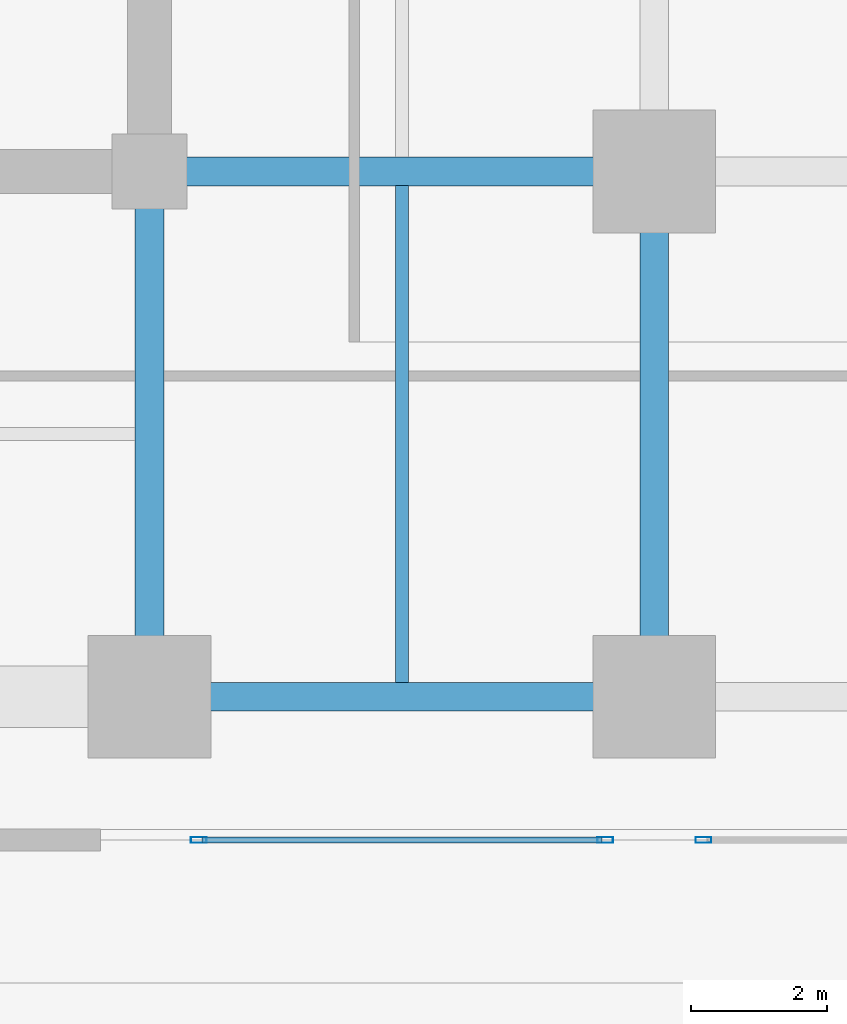
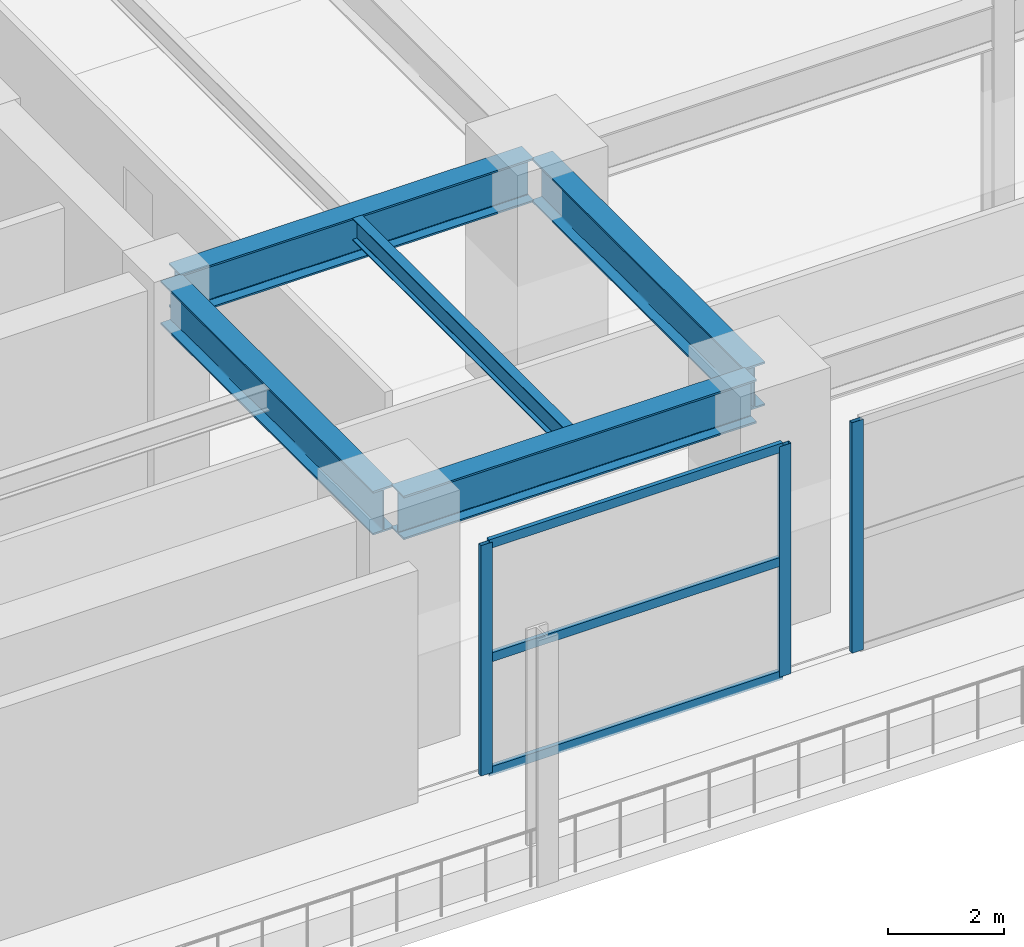
# One storey, part 9 of 35: 6 members, 5 beams, 2 elements without a shape of their own.
"""IFC4 building model written with IfcOpenShell, lengths in metres."""

import ifcopenshell
import ifcopenshell.guid

model = None  # the IFC model being written
_history = None  # IfcOwnerHistory: only IFC2X3 demands one
_inside = {}  # id of a spatial element -> (the spatial element, [elements in it])
_under = {}  # id of a project, library or spatial element -> (it, [spatial elements below it])
_declared = {}  # id of a project -> (the project, [libraries it declares])
_typed = {}  # id of a type object -> (the type object, [elements of that type])
_made_of = {}  # id of a material, layer set ... -> (it, [elements and type objects made of it])


def new_model(schema):
    """Start an empty IFC model of exactly this schema.

    Asked for "IFC4X3", IfcOpenShell would pick the latest addendum, in which some entities
    have other attributes; the version numbers below select the first issue.
    IFC2X3 requires an IfcOwnerHistory on every rooted entity: one is made here for all.
    """
    global model, _history
    if schema == "IFC4X3":
        model = ifcopenshell.file(schema_version=(4, 3, 0, 0))
    else:
        model = ifcopenshell.file(schema=schema)
    _inside.clear()
    _under.clear()
    _declared.clear()
    _typed.clear()
    _made_of.clear()
    _history = None
    if model.schema == "IFC2X3":
        org = make("IfcOrganization", Name="unknown")
        user = make(
            "IfcPersonAndOrganization",
            ThePerson=make("IfcPerson", FamilyName="unknown"),
            TheOrganization=org,
        )
        app = make(
            "IfcApplication",
            ApplicationDeveloper=org,
            Version="unknown",
            ApplicationFullName="unknown",
            ApplicationIdentifier="unknown",
        )
        _history = make(
            "IfcOwnerHistory",
            OwningUser=user,
            OwningApplication=app,
            ChangeAction="ADDED",
            CreationDate=0,
        )
    return model


def make(cls, **values):
    """One entity of the class cls with the attributes given. An attribute that is None is left unset."""
    return model.create_entity(
        cls, **{name: value for name, value in values.items() if value is not None}
    )


def rooted(cls, **values):
    """An entity with a GlobalId (a new one), such as an element, a storey or a relation."""
    return make(cls, GlobalId=ifcopenshell.guid.new(), OwnerHistory=_history, **values)


def si_unit(unit_type, name, prefix=None):
    """IfcSIUnit, for example si_unit("LENGTHUNIT", "METRE", prefix="MILLI")."""
    return make("IfcSIUnit", UnitType=unit_type, Prefix=prefix, Name=name)


def assignment(units):
    """IfcUnitAssignment: the units of a project."""
    return None if units is None else make("IfcUnitAssignment", Units=units)


def point(xyz):
    """IfcCartesianPoint."""
    return None if xyz is None else make("IfcCartesianPoint", Coordinates=xyz)


def direction(xyz):
    """IfcDirection."""
    return None if xyz is None else make("IfcDirection", DirectionRatios=xyz)


def frame(location, z_axis=None, x_axis=None):
    """IfcAxis2Placement3D, a coordinate frame: its origin and axes. An axis left out is left unset."""
    return make(
        "IfcAxis2Placement3D",
        Location=point(location),
        Axis=direction(z_axis),
        RefDirection=direction(x_axis),
    )


def frame_2d(location, x_axis=None):
    """IfcAxis2Placement2D, a coordinate frame in the plane: its origin and x axis."""
    return make(
        "IfcAxis2Placement2D", Location=point(location), RefDirection=direction(x_axis)
    )


def origin():
    """The frame at (0, 0, 0) with its axes left unset."""
    return frame((0.0, 0.0, 0.0))


def origin_2d():
    """The frame at (0, 0) in the plane with its x axis left unset."""
    return frame_2d((0.0, 0.0))


def place(relative_to, where):
    """IfcLocalPlacement: puts the frame where relative to a parent placement (None: the world)."""
    return make(
        "IfcLocalPlacement", PlacementRelTo=relative_to, RelativePlacement=where
    )


def context(
    kind, dimensions, precision=None, world=None, true_north=None, identifier=None
):
    """IfcGeometricRepresentationContext, for example the 3D "Model" context."""
    return make(
        "IfcGeometricRepresentationContext",
        ContextIdentifier=identifier,
        ContextType=kind,
        CoordinateSpaceDimension=dimensions,
        Precision=precision,
        WorldCoordinateSystem=world,
        TrueNorth=true_north,
    )


def subcontext(parent, identifier, kind, view, scale=None):
    """IfcGeometricRepresentationSubContext, for example "Body" below "Model"."""
    return make(
        "IfcGeometricRepresentationSubContext",
        ContextIdentifier=identifier,
        ContextType=kind,
        ParentContext=parent,
        TargetScale=scale,
        TargetView=view,
    )


def project(units=None, contexts=None):
    """IfcProject with its units and contexts."""
    return rooted(
        "IfcProject",
        Name="project",
        RepresentationContexts=contexts,
        UnitsInContext=assignment(units),
    )


def spatial(cls, under=None, at=None, **own):
    """A site, building, storey or space (cls), placed at a placement, below another one or the project."""
    s = rooted(cls, ObjectPlacement=at, **own)
    if under is not None:
        _under.setdefault(under.id(), (under, []))[1].append(s)
    return s


def profile(cls, at=None, kind="AREA", **sizes):
    """A parametric profile (cls). Its sizes go by their IFC names, for example OverallWidth=200.0."""
    return make(cls, ProfileType=kind, Position=at, **sizes)


def hollow_rectangle(**sizes):
    """IfcRectangleHollowProfileDef."""
    return profile("IfcRectangleHollowProfileDef", **sizes)


def i_section(**sizes):
    """IfcIShapeProfileDef."""
    return profile("IfcIShapeProfileDef", **sizes)


def extrude(swept, where, along, depth):
    """IfcExtrudedAreaSolid: the profile swept, set in the frame where, extruded along a direction by depth."""
    return make(
        "IfcExtrudedAreaSolid",
        SweptArea=swept,
        Position=where,
        ExtrudedDirection=direction(along),
        Depth=depth,
    )


def shape(context_of_items, identifier, shape_type, items):
    """IfcShapeRepresentation: the items that make up one representation, for example the "Body"."""
    return make(
        "IfcShapeRepresentation",
        ContextOfItems=context_of_items,
        RepresentationIdentifier=identifier,
        RepresentationType=shape_type,
        Items=items,
    )


def material(Name=None, Category=None):
    """IfcMaterial."""
    return make("IfcMaterial", Name=Name, Category=Category)


def material_profile(
    of_material, cross_section, Name=None, Category=None, Priority=None
):
    """IfcMaterialProfile: a cross section and its material."""
    return make(
        "IfcMaterialProfile",
        Name=Name,
        Material=of_material,
        Profile=cross_section,
        Priority=Priority,
        Category=Category,
    )


def profile_set(profiles, Name=None, composite=None):
    """IfcMaterialProfileSet."""
    return make(
        "IfcMaterialProfileSet",
        Name=Name,
        MaterialProfiles=profiles,
        CompositeProfile=composite,
    )


def made_of(thing, what):
    """Note that an element or type object is made of a material, layer set ...; save() writes the relation."""
    if what is not None:
        _made_of.setdefault(what.id(), (what, []))[1].append(thing)
    return thing


def type_object(cls, material=None, **own):
    """A type object (cls), such as IfcWallType, which elements share."""
    return made_of(rooted(cls, **own), material)


def element(
    cls,
    number,
    at=None,
    inside=None,
    cuts=None,
    type_object=None,
    material=None,
    context=None,
    identifier="Body",
    shape_type=None,
    held_by="IfcProductDefinitionShape",
    body=None,
    shapes=None,
    **own,
):
    """One element of the class cls, such as IfcWall. Its Tag is "e" and its number.

    at: its placement. inside: the storey or other place that contains it. cuts: it is an
    opening in that element (IfcRelVoidsElement). A single representation is given by context,
    identifier, shape_type and body (its items); several are given by shapes. held_by: the class
    of the entity that holds the representations. save() writes the other relations.
    """
    e = rooted(cls, Tag="e%d" % number, ObjectPlacement=at, **own)
    if body is not None:
        shapes = [shape(context, identifier, shape_type, body)]
    if shapes is not None:
        e.Representation = make(held_by, Representations=shapes)
    if inside is not None:
        _inside.setdefault(inside.id(), (inside, []))[1].append(e)
    if cuts is not None:
        rooted(
            "IfcRelVoidsElement", RelatingBuildingElement=cuts, RelatedOpeningElement=e
        )
    if type_object is not None:
        _typed.setdefault(type_object.id(), (type_object, []))[1].append(e)
    return made_of(e, material)


def aggregate(whole, parts):
    """IfcRelAggregates: a whole, such as a stair, and the parts it consists of."""
    return rooted("IfcRelAggregates", RelatingObject=whole, RelatedObjects=parts)


def save(model, path):
    """Write the relations noted so far, then the file.

    IfcRelAggregates (storeys below a building ...), IfcRelContainedInSpatialStructure (elements
    in a storey), IfcRelDefinesByType, IfcRelAssociatesMaterial and IfcRelDeclares: one each for
    every whole, place, type object, material and project.
    """
    for whole, parts in _under.values():
        aggregate(whole, parts)
    for where, things in _inside.values():
        rooted(
            "IfcRelContainedInSpatialStructure",
            RelatedElements=things,
            RelatingStructure=where,
        )
    for kind, things in _typed.values():
        rooted("IfcRelDefinesByType", RelatedObjects=things, RelatingType=kind)
    for what, things in _made_of.values():
        rooted("IfcRelAssociatesMaterial", RelatedObjects=things, RelatingMaterial=what)
    for by, libraries in _declared.values():
        rooted("IfcRelDeclares", RelatingContext=by, RelatedDefinitions=libraries)
    model.write(path)


model = new_model("IFC4")

# Units and contexts
model_context = context("Model", 3, precision=1e-05, world=origin(), true_north=direction((0.0, 1.0)))
body_context = subcontext(model_context, "Body", "Model", "MODEL_VIEW")
ifc_project = project(units=[si_unit("LENGTHUNIT", "METRE"), si_unit("AREAUNIT", "SQUARE_METRE"), si_unit("VOLUMEUNIT", "CUBIC_METRE"), si_unit("PLANEANGLEUNIT", "RADIAN"), si_unit("MASSUNIT", "GRAM", prefix="KILO")], contexts=[model_context])

# Site, building, storey
site_placement = place(None, origin())
site = spatial("IfcSite", under=ifc_project, at=site_placement, CompositionType="ELEMENT")
building_placement = place(site_placement, origin())
building = spatial("IfcBuilding", under=site, at=building_placement, Name="Kovane Verandah Tower", CompositionType="ELEMENT")
storey_placement = place(building_placement, frame((0.0, 0.0, 16.39990234375)))
storey = spatial("IfcBuildingStorey", under=building, at=storey_placement, Name="L03", CompositionType="ELEMENT", Elevation=16.39990234375)

# Beams
ifc_material_1 = material(Name="Steel S460", Category="steel")
ifc_material_profile_1 = material_profile(ifc_material_1, i_section(OverallWidth=0.42041015625, OverallDepth=0.9208984375, WebThickness=0.021484375, FlangeThickness=0.03662109375, FilletRadius=0.024169921875, at=origin_2d()), Name="UB914x419x388")
ifc_profile_set_1 = profile_set([ifc_material_profile_1], Name="Steel S460")
beam_type_1 = type_object("IfcBeamType", Name="BM-UB914x388", PredefinedType="BEAM", material=ifc_profile_set_1)
beam_1_placement = place(storey_placement, frame((51.179931640625, 10.800048828125, 4.439697265625), z_axis=(1.0, 0.0, 0.0), x_axis=(0.0, 1.0, 0.0)))
element("IfcBeam", 1, at=beam_1_placement, inside=storey, type_object=beam_type_1, Name="L03 Primary Tower Girder G-RS3", PredefinedType="BEAM", context=body_context, shape_type="SweptSolid", body=[
    extrude(i_section(OverallWidth=0.42041015625, OverallDepth=0.9208984375, WebThickness=0.021484375, FlangeThickness=0.03662109375, FilletRadius=0.024169921875, at=origin_2d()), origin(), (0.0, 0.0, 1.0), 7.0400390625),
])
beam_2_placement = place(storey_placement, frame((58.39990234375, 10.97998046875, 4.439697265625), z_axis=(0.0, 1.0, 0.0), x_axis=(-1.0, 0.0, 0.0)))
element("IfcBeam", 2, at=beam_2_placement, inside=storey, type_object=beam_type_1, Name="L03 Primary Tower Girder G-RE1", PredefinedType="BEAM", context=body_context, shape_type="SweptSolid", body=[
    extrude(i_section(OverallWidth=0.42041015625, OverallDepth=0.9208984375, WebThickness=0.021484375, FlangeThickness=0.03662109375, FilletRadius=0.024169921875, at=origin_2d()), origin(), (0.0, 0.0, 1.0), 7.340087890625),
])
beam_3_placement = place(storey_placement, frame((51.179931640625, 18.5, 4.439697265625), z_axis=(1.0, 0.0, 0.0), x_axis=(0.0, 1.0, 0.0)))
element("IfcBeam", 3, at=beam_3_placement, inside=storey, type_object=beam_type_1, Name="L03 Primary Tower Girder G-E1", PredefinedType="BEAM", context=body_context, shape_type="SweptSolid", body=[
    extrude(i_section(OverallWidth=0.42041015625, OverallDepth=0.9208984375, WebThickness=0.021484375, FlangeThickness=0.03662109375, FilletRadius=0.024169921875, at=origin_2d()), origin(), (0.0, 0.0, 1.0), 7.0400390625),
])
beam_4_placement = place(storey_placement, frame((51.0, 18.320068359375, 4.439697265625), z_axis=(0.0, -1.0, 0.0), x_axis=(1.0, 0.0, 0.0)))
element("IfcBeam", 4, at=beam_4_placement, inside=storey, type_object=beam_type_1, Name="L03 Primary Tower Girder G-S2", PredefinedType="BEAM", context=body_context, shape_type="SweptSolid", body=[
    extrude(i_section(OverallWidth=0.42041015625, OverallDepth=0.9208984375, WebThickness=0.021484375, FlangeThickness=0.03662109375, FilletRadius=0.024169921875, at=origin_2d()), origin(), (0.0, 0.0, 1.0), 7.340087890625),
])

# Curtain wall, members
ifc_material_2 = material(Name="Champagne Anodised Aluminium Frame with Low-E Clear Laminated Glass", Category="aluminium")
curtain_wall_type = type_object("IfcCurtainWallType", Name="CW-SYS-01-POD", PredefinedType="NOTDEFINED", material=ifc_material_2)
curtain_wall_1_placement = place(storey_placement, origin())
curtain_wall_1 = element("IfcCurtainWall", 5, at=curtain_wall_1_placement, inside=storey, type_object=curtain_wall_type, Name="L03 South Podium Curtain Wall Bay 5.1", PredefinedType="NOTDEFINED")
ifc_material_3 = material(Name="Champagne Anodised Aluminium 6063-T6", Category="aluminium")
ifc_material_profile_2 = material_profile(ifc_material_3, hollow_rectangle(XDim=0.0849609375, YDim=0.22998046875, WallThickness=0.00390625, at=origin_2d()), Name="AL85x230x4")
ifc_profile_set_2 = profile_set([ifc_material_profile_2], Name="Champagne Anodised Aluminium 6063-T6")
member_type_1 = type_object("IfcMemberType", Name="CW-MUL-85x230", PredefinedType="MULLION", material=ifc_profile_set_2)
member_1_placement = place(storey_placement, frame((51.719970703125, 8.699951171875, 0.02001953125), z_axis=(0.0, 0.0, 1.0), x_axis=(0.0, -1.0, 0.0)))
member_1 = element("IfcMember", 6, at=member_1_placement, type_object=member_type_1, Name="L03 South Podium Curtain Wall Bay 5.1 Mullion 1", PredefinedType="MULLION", context=body_context, shape_type="SweptSolid", body=[
    extrude(hollow_rectangle(XDim=0.0849609375, YDim=0.22998046875, WallThickness=0.00390625, at=origin_2d()), origin(), (0.0, 0.0, 1.0), 4.860107421875),
])
member_2_placement = place(storey_placement, frame((57.679931640625, 8.699951171875, 0.02001953125), z_axis=(0.0, 0.0, 1.0), x_axis=(0.0, -1.0, 0.0)))
member_2 = element("IfcMember", 7, at=member_2_placement, type_object=member_type_1, Name="L03 South Podium Curtain Wall Bay 5.1 Mullion 2", PredefinedType="MULLION", context=body_context, shape_type="SweptSolid", body=[
    extrude(hollow_rectangle(XDim=0.0849609375, YDim=0.22998046875, WallThickness=0.00390625, at=origin_2d()), origin(), (0.0, 0.0, 1.0), 4.860107421875),
])

# Curtain wall, member
curtain_wall_2_placement = place(storey_placement, origin())
curtain_wall_2 = element("IfcCurtainWall", 8, at=curtain_wall_2_placement, inside=storey, type_object=curtain_wall_type, Name="L03 South Podium Curtain Wall Bay 6.1", PredefinedType="NOTDEFINED")
member_3_placement = place(storey_placement, frame((59.1201171875, 8.699951171875, 0.02001953125), z_axis=(0.0, 0.0, 1.0), x_axis=(0.0, -1.0, 0.0)))
member_3 = element("IfcMember", 9, at=member_3_placement, type_object=member_type_1, Name="L03 South Podium Curtain Wall Bay 6.1 Mullion 1", PredefinedType="MULLION", context=body_context, shape_type="SweptSolid", body=[
    extrude(hollow_rectangle(XDim=0.0849609375, YDim=0.22998046875, WallThickness=0.00390625, at=origin_2d()), origin(), (0.0, 0.0, 1.0), 4.860107421875),
])
aggregate(curtain_wall_2, [member_3])

# Member
ifc_material_profile_3 = material_profile(ifc_material_3, hollow_rectangle(XDim=0.0849609375, YDim=0.18994140625, WallThickness=0.00390625, at=origin_2d()), Name="AL85x190x4")
ifc_profile_set_3 = profile_set([ifc_material_profile_3], Name="Champagne Anodised Aluminium 6063-T6")
member_type_2 = type_object("IfcMemberType", Name="CW-TRN-85x190", PredefinedType="USERDEFINED", material=ifc_profile_set_3)
member_4_placement = place(storey_placement, frame((51.77001953125, 8.699951171875, 0.050048828125), z_axis=(1.0, 0.0, 0.0), x_axis=(0.0, 1.0, 0.0)))
member_4 = element("IfcMember", 10, at=member_4_placement, type_object=member_type_2, Name="L03 South Podium Curtain Wall Bay 5.1 Transom TB Bay 1", ObjectType="TRANSOM", PredefinedType="USERDEFINED", context=body_context, shape_type="SweptSolid", body=[
    extrude(hollow_rectangle(XDim=0.0849609375, YDim=0.18994140625, WallThickness=0.00390625, at=origin_2d()), origin(), (0.0, 0.0, 1.0), 5.85986328125),
])

member_5_placement = place(storey_placement, frame((51.77001953125, 8.699951171875, 2.4501953125), z_axis=(1.0, 0.0, 0.0), x_axis=(0.0, 1.0, 0.0)))
member_5 = element("IfcMember", 11, at=member_5_placement, type_object=member_type_2, Name="L03 South Podium Curtain Wall Bay 5.1 Transom TM Bay 1", ObjectType="TRANSOM", PredefinedType="USERDEFINED", context=body_context, shape_type="SweptSolid", body=[
    extrude(hollow_rectangle(XDim=0.0849609375, YDim=0.18994140625, WallThickness=0.00390625, at=origin_2d()), origin(), (0.0, 0.0, 1.0), 5.85986328125),
])

member_6_placement = place(storey_placement, frame((51.77001953125, 8.699951171875, 4.85009765625), z_axis=(1.0, 0.0, 0.0), x_axis=(0.0, 1.0, 0.0)))
member_6 = element("IfcMember", 12, at=member_6_placement, type_object=member_type_2, Name="L03 South Podium Curtain Wall Bay 5.1 Transom TT Bay 1", ObjectType="TRANSOM", PredefinedType="USERDEFINED", context=body_context, shape_type="SweptSolid", body=[
    extrude(hollow_rectangle(XDim=0.0849609375, YDim=0.18994140625, WallThickness=0.00390625, at=origin_2d()), origin(), (0.0, 0.0, 1.0), 5.85986328125),
])

aggregate(curtain_wall_1, [member_1, member_2, member_4, member_5, member_6])

# Beam
ifc_material_4 = material(Name="Steel S355", Category="steel")
ifc_material_profile_4 = material_profile(ifc_material_4, i_section(OverallWidth=0.19287109375, OverallDepth=0.46728515625, WebThickness=0.011474609375, FlangeThickness=0.01953125, FilletRadius=0.01025390625, at=origin_2d()), Name="UB457x191x98")
ifc_profile_set_4 = profile_set([ifc_material_profile_4], Name="Steel S355")
beam_type_2 = type_object("IfcBeamType", Name="JST-UB457x98", PredefinedType="JOIST", material=ifc_profile_set_4)
beam_5_placement = place(storey_placement, frame((54.699951171875, 11.00830078125, 4.66650390625), z_axis=(0.0, 1.0, 0.0), x_axis=(-1.0, 0.0, 0.0)))
element("IfcBeam", 13, at=beam_5_placement, inside=storey, type_object=beam_type_2, Name="L03 Secondary Composite Joist J-SE1", PredefinedType="JOIST", context=body_context, shape_type="SweptSolid", body=[
    extrude(i_section(OverallWidth=0.19287109375, OverallDepth=0.46728515625, WebThickness=0.011474609375, FlangeThickness=0.01953125, FilletRadius=0.01025390625, at=origin_2d()), origin(), (0.0, 0.0, 1.0), 7.283447265625),
])

save(model, "model.ifc")
